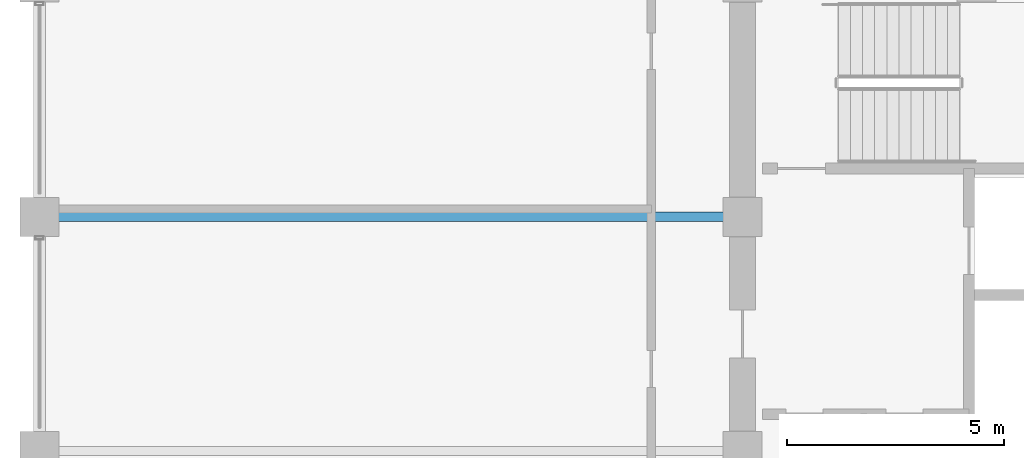
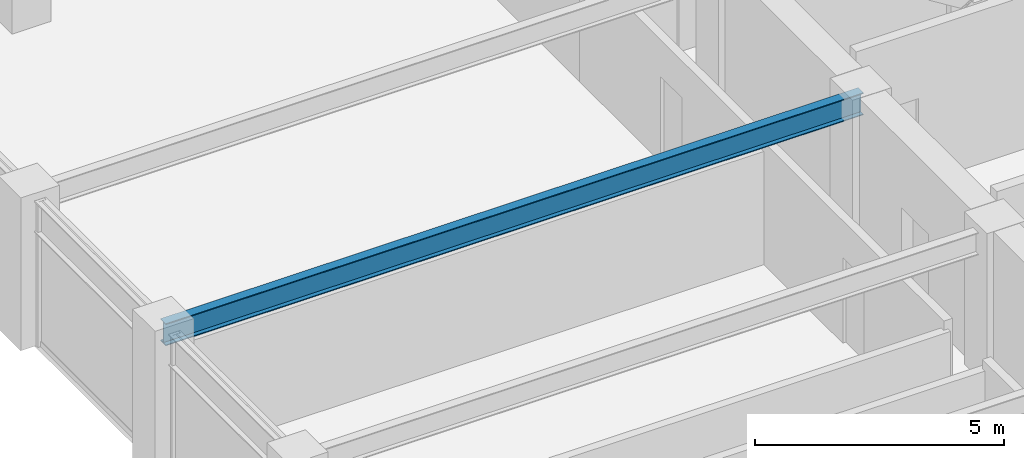
# One storey, part 11 of 32: 1 beam.
"""IFC4 building model written with IfcOpenShell, lengths in metres."""

from ifc_helpers import new_model, si_unit, direction, frame, origin, origin_2d, place, context, subcontext, project, spatial, i_section, extrude, material, material_profile, profile_set, type_object, element, save


model = new_model("IFC4")

# Units and contexts
model_context = context("Model", 3, precision=1e-05, world=origin(), true_north=direction((0.0, 1.0)))
body_context = subcontext(model_context, "Body", "Model", "MODEL_VIEW")
ifc_project = project(units=[si_unit("LENGTHUNIT", "METRE"), si_unit("AREAUNIT", "SQUARE_METRE"), si_unit("VOLUMEUNIT", "CUBIC_METRE"), si_unit("PLANEANGLEUNIT", "RADIAN"), si_unit("MASSUNIT", "GRAM", prefix="KILO")], contexts=[model_context])

# Site, building, storey
site_placement = place(None, origin())
site = spatial("IfcSite", under=ifc_project, at=site_placement, CompositionType="ELEMENT")
building_placement = place(site_placement, origin())
building = spatial("IfcBuilding", under=site, at=building_placement, Name="Surkhivell Harbour Commons", CompositionType="ELEMENT")
storey_placement = place(building_placement, frame((0.0, 0.0, 204.75)))
storey = spatial("IfcBuildingStorey", under=building, at=storey_placement, Name="L53", CompositionType="ELEMENT", Elevation=204.75)

# Beam
ifc_material = material(Name="Steel S355", Category="steel")
ifc_material_profile = material_profile(ifc_material, i_section(OverallWidth=0.2119140625, OverallDepth=0.5439453125, WebThickness=0.0126953125, FlangeThickness=0.021240234375, at=origin_2d()), Name="UB533x210x122")
ifc_profile_set = profile_set([ifc_material_profile], Name="Steel S355")
beam_type = type_object("IfcBeamType", Name="BM-GRD-533A", PredefinedType="BEAM", material=ifc_profile_set)
beam_placement = place(storey_placement, frame((-27.0, 5.39990234375, 3.298095703125), z_axis=(1.0, 0.0, 0.0), x_axis=(0.0, 1.0, 0.0)))
element("IfcBeam", 1, at=beam_placement, inside=storey, type_object=beam_type, Name="L53 Floor Girder (-27.0,5.4)", PredefinedType="BEAM", context=body_context, shape_type="SweptSolid", body=[
    extrude(i_section(OverallWidth=0.2119140625, OverallDepth=0.5439453125, WebThickness=0.0126953125, FlangeThickness=0.021240234375, at=origin_2d()), origin(), (0.0, 0.0, 1.0), 16.199951171875),
])

save(model, "model.ifc")
